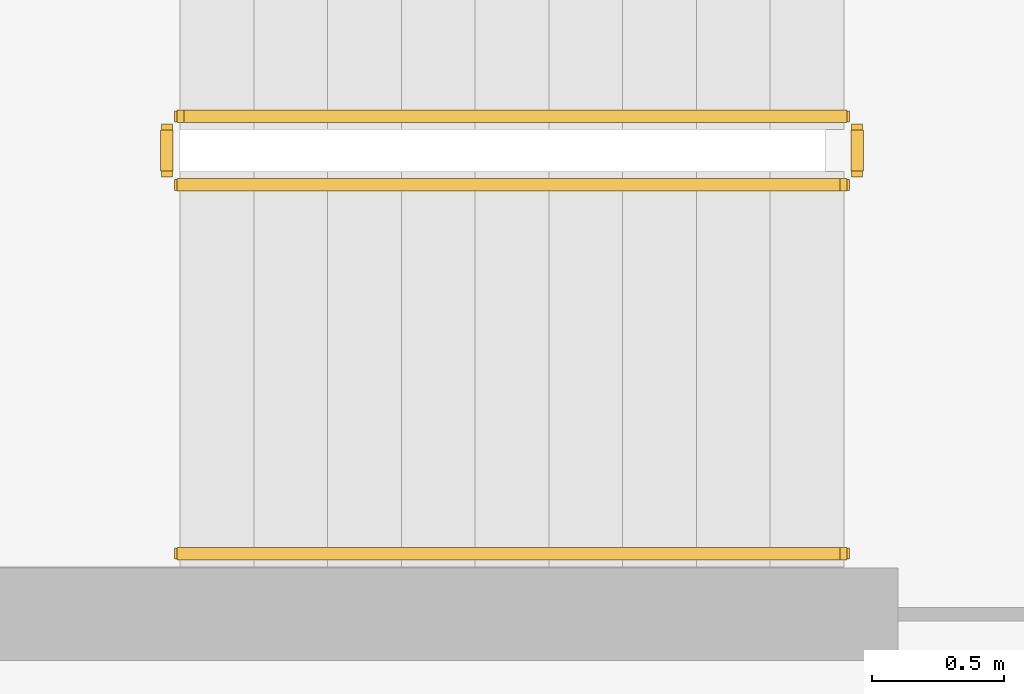
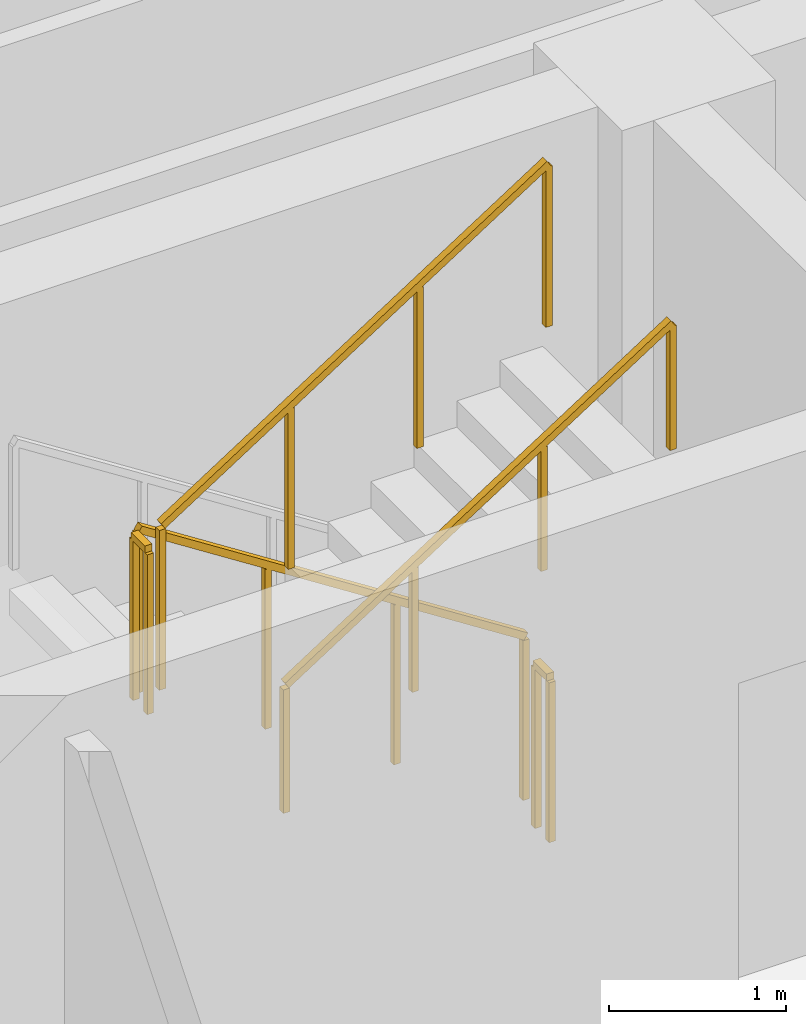
# One storey, part 11 of 13: 5 railings.
"""IFC4 building model written with IfcOpenShell, lengths in metres."""

import ifcopenshell
import ifcopenshell.guid

model = None  # the IFC model being written
_history = None  # IfcOwnerHistory: only IFC2X3 demands one
_inside = {}  # id of a spatial element -> (the spatial element, [elements in it])
_under = {}  # id of a project, library or spatial element -> (it, [spatial elements below it])
_declared = {}  # id of a project -> (the project, [libraries it declares])
_typed = {}  # id of a type object -> (the type object, [elements of that type])
_made_of = {}  # id of a material, layer set ... -> (it, [elements and type objects made of it])


def new_model(schema):
    """Start an empty IFC model of exactly this schema.

    Asked for "IFC4X3", IfcOpenShell would pick the latest addendum, in which some entities
    have other attributes; the version numbers below select the first issue.
    IFC2X3 requires an IfcOwnerHistory on every rooted entity: one is made here for all.
    """
    global model, _history
    if schema == "IFC4X3":
        model = ifcopenshell.file(schema_version=(4, 3, 0, 0))
    else:
        model = ifcopenshell.file(schema=schema)
    _inside.clear()
    _under.clear()
    _declared.clear()
    _typed.clear()
    _made_of.clear()
    _history = None
    if model.schema == "IFC2X3":
        org = make("IfcOrganization", Name="unknown")
        user = make(
            "IfcPersonAndOrganization",
            ThePerson=make("IfcPerson", FamilyName="unknown"),
            TheOrganization=org,
        )
        app = make(
            "IfcApplication",
            ApplicationDeveloper=org,
            Version="unknown",
            ApplicationFullName="unknown",
            ApplicationIdentifier="unknown",
        )
        _history = make(
            "IfcOwnerHistory",
            OwningUser=user,
            OwningApplication=app,
            ChangeAction="ADDED",
            CreationDate=0,
        )
    return model


def make(cls, **values):
    """One entity of the class cls with the attributes given. An attribute that is None is left unset."""
    return model.create_entity(
        cls, **{name: value for name, value in values.items() if value is not None}
    )


def rooted(cls, **values):
    """An entity with a GlobalId (a new one), such as an element, a storey or a relation."""
    return make(cls, GlobalId=ifcopenshell.guid.new(), OwnerHistory=_history, **values)


def si_unit(unit_type, name, prefix=None):
    """IfcSIUnit, for example si_unit("LENGTHUNIT", "METRE", prefix="MILLI")."""
    return make("IfcSIUnit", UnitType=unit_type, Prefix=prefix, Name=name)


def assignment(units):
    """IfcUnitAssignment: the units of a project."""
    return None if units is None else make("IfcUnitAssignment", Units=units)


def point(xyz):
    """IfcCartesianPoint."""
    return None if xyz is None else make("IfcCartesianPoint", Coordinates=xyz)


def direction(xyz):
    """IfcDirection."""
    return None if xyz is None else make("IfcDirection", DirectionRatios=xyz)


def frame(location, z_axis=None, x_axis=None):
    """IfcAxis2Placement3D, a coordinate frame: its origin and axes. An axis left out is left unset."""
    return make(
        "IfcAxis2Placement3D",
        Location=point(location),
        Axis=direction(z_axis),
        RefDirection=direction(x_axis),
    )


def frame_2d(location, x_axis=None):
    """IfcAxis2Placement2D, a coordinate frame in the plane: its origin and x axis."""
    return make(
        "IfcAxis2Placement2D", Location=point(location), RefDirection=direction(x_axis)
    )


def origin():
    """The frame at (0, 0, 0) with its axes left unset."""
    return frame((0.0, 0.0, 0.0))


def origin_2d():
    """The frame at (0, 0) in the plane with its x axis left unset."""
    return frame_2d((0.0, 0.0))


def place(relative_to, where):
    """IfcLocalPlacement: puts the frame where relative to a parent placement (None: the world)."""
    return make(
        "IfcLocalPlacement", PlacementRelTo=relative_to, RelativePlacement=where
    )


def context(
    kind, dimensions, precision=None, world=None, true_north=None, identifier=None
):
    """IfcGeometricRepresentationContext, for example the 3D "Model" context."""
    return make(
        "IfcGeometricRepresentationContext",
        ContextIdentifier=identifier,
        ContextType=kind,
        CoordinateSpaceDimension=dimensions,
        Precision=precision,
        WorldCoordinateSystem=world,
        TrueNorth=true_north,
    )


def subcontext(parent, identifier, kind, view, scale=None):
    """IfcGeometricRepresentationSubContext, for example "Body" below "Model"."""
    return make(
        "IfcGeometricRepresentationSubContext",
        ContextIdentifier=identifier,
        ContextType=kind,
        ParentContext=parent,
        TargetScale=scale,
        TargetView=view,
    )


def project(units=None, contexts=None):
    """IfcProject with its units and contexts."""
    return rooted(
        "IfcProject",
        Name="project",
        RepresentationContexts=contexts,
        UnitsInContext=assignment(units),
    )


def spatial(cls, under=None, at=None, **own):
    """A site, building, storey or space (cls), placed at a placement, below another one or the project."""
    s = rooted(cls, ObjectPlacement=at, **own)
    if under is not None:
        _under.setdefault(under.id(), (under, []))[1].append(s)
    return s


def profile(cls, at=None, kind="AREA", **sizes):
    """A parametric profile (cls). Its sizes go by their IFC names, for example OverallWidth=200.0."""
    return make(cls, ProfileType=kind, Position=at, **sizes)


def rectangle(**sizes):
    """IfcRectangleProfileDef."""
    return profile("IfcRectangleProfileDef", **sizes)


def extrude(swept, where, along, depth):
    """IfcExtrudedAreaSolid: the profile swept, set in the frame where, extruded along a direction by depth."""
    return make(
        "IfcExtrudedAreaSolid",
        SweptArea=swept,
        Position=where,
        ExtrudedDirection=direction(along),
        Depth=depth,
    )


def shape(context_of_items, identifier, shape_type, items):
    """IfcShapeRepresentation: the items that make up one representation, for example the "Body"."""
    return make(
        "IfcShapeRepresentation",
        ContextOfItems=context_of_items,
        RepresentationIdentifier=identifier,
        RepresentationType=shape_type,
        Items=items,
    )


def material(Name=None, Category=None):
    """IfcMaterial."""
    return make("IfcMaterial", Name=Name, Category=Category)


def made_of(thing, what):
    """Note that an element or type object is made of a material, layer set ...; save() writes the relation."""
    if what is not None:
        _made_of.setdefault(what.id(), (what, []))[1].append(thing)
    return thing


def type_object(cls, material=None, **own):
    """A type object (cls), such as IfcWallType, which elements share."""
    return made_of(rooted(cls, **own), material)


def element(
    cls,
    number,
    at=None,
    inside=None,
    cuts=None,
    type_object=None,
    material=None,
    context=None,
    identifier="Body",
    shape_type=None,
    held_by="IfcProductDefinitionShape",
    body=None,
    shapes=None,
    **own,
):
    """One element of the class cls, such as IfcWall. Its Tag is "e" and its number.

    at: its placement. inside: the storey or other place that contains it. cuts: it is an
    opening in that element (IfcRelVoidsElement). A single representation is given by context,
    identifier, shape_type and body (its items); several are given by shapes. held_by: the class
    of the entity that holds the representations. save() writes the other relations.
    """
    e = rooted(cls, Tag="e%d" % number, ObjectPlacement=at, **own)
    if body is not None:
        shapes = [shape(context, identifier, shape_type, body)]
    if shapes is not None:
        e.Representation = make(held_by, Representations=shapes)
    if inside is not None:
        _inside.setdefault(inside.id(), (inside, []))[1].append(e)
    if cuts is not None:
        rooted(
            "IfcRelVoidsElement", RelatingBuildingElement=cuts, RelatedOpeningElement=e
        )
    if type_object is not None:
        _typed.setdefault(type_object.id(), (type_object, []))[1].append(e)
    return made_of(e, material)


def aggregate(whole, parts):
    """IfcRelAggregates: a whole, such as a stair, and the parts it consists of."""
    return rooted("IfcRelAggregates", RelatingObject=whole, RelatedObjects=parts)


def save(model, path):
    """Write the relations noted so far, then the file.

    IfcRelAggregates (storeys below a building ...), IfcRelContainedInSpatialStructure (elements
    in a storey), IfcRelDefinesByType, IfcRelAssociatesMaterial and IfcRelDeclares: one each for
    every whole, place, type object, material and project.
    """
    for whole, parts in _under.values():
        aggregate(whole, parts)
    for where, things in _inside.values():
        rooted(
            "IfcRelContainedInSpatialStructure",
            RelatedElements=things,
            RelatingStructure=where,
        )
    for kind, things in _typed.values():
        rooted("IfcRelDefinesByType", RelatedObjects=things, RelatingType=kind)
    for what, things in _made_of.values():
        rooted("IfcRelAssociatesMaterial", RelatedObjects=things, RelatingMaterial=what)
    for by, libraries in _declared.values():
        rooted("IfcRelDeclares", RelatingContext=by, RelatedDefinitions=libraries)
    model.write(path)


model = new_model("IFC4")

# Units and contexts
model_context = context("Model", 3, precision=1e-05, world=origin(), true_north=direction((0.0, 1.0)))
body_context = subcontext(model_context, "Body", "Model", "MODEL_VIEW")
ifc_project = project(units=[si_unit("LENGTHUNIT", "METRE"), si_unit("AREAUNIT", "SQUARE_METRE"), si_unit("VOLUMEUNIT", "CUBIC_METRE"), si_unit("PLANEANGLEUNIT", "RADIAN"), si_unit("MASSUNIT", "GRAM", prefix="KILO")], contexts=[model_context])

# Site, building, storey
site_placement = place(None, origin())
site = spatial("IfcSite", under=ifc_project, at=site_placement, CompositionType="ELEMENT")
building_placement = place(site_placement, origin())
building = spatial("IfcBuilding", under=site, at=building_placement, Name="Zarnavel Station Tower", CompositionType="ELEMENT")
storey_placement = place(building_placement, frame((0.0, 0.0, 207.60009765625)))
storey = spatial("IfcBuildingStorey", under=building, at=storey_placement, Name="L56", CompositionType="ELEMENT", Elevation=207.60009765625)

# Railings
ifc_material_1 = material(Name="Painted Steel S355J2 Balustrade", Category="steel")
railing_type_1 = type_object("IfcRailingType", Name="GR_INT_1150", PredefinedType="GUARDRAIL", material=ifc_material_1)
railing_1_placement = place(storey_placement, frame((19.47998046875, 35.3701171875, 0.179931640625)))
element("IfcRailing", 1, at=railing_1_placement, inside=storey, type_object=railing_type_1, Name="L56 ST1 stair guard 1", PredefinedType="GUARDRAIL", context=body_context, shape_type="SweptSolid", body=[
    extrude(rectangle(XDim=0.048095703125, YDim=0.048095703125, at=origin_2d()), frame((-0.001708984375, 0.0, 1.126953125), z_axis=(-0.841199657755, 0.0, 0.540724639528), x_axis=(0.0, -1.0, 0.0)), (0.0, 0.0, 1.0), 2.99169921875),
    extrude(rectangle(XDim=0.0419921875, YDim=0.0419921875, at=origin_2d()), origin(), (0.0, 0.0, 1.0), 1.101806640625),
    extrude(rectangle(XDim=0.0419921875, YDim=0.0419921875, at=origin_2d()), frame((-0.840087890625, 0.0, 0.5400390625)), (0.0, 0.0, 1.0), 1.101806640625),
    extrude(rectangle(XDim=0.0419921875, YDim=0.0419921875, at=origin_2d()), frame((-1.679931640625, 0.0, 1.079833984375)), (0.0, 0.0, 1.0), 1.101806640625),
    extrude(rectangle(XDim=0.0419921875, YDim=0.0419921875, at=origin_2d()), frame((-2.52001953125, 0.0, 1.619873046875)), (0.0, 0.0, 1.0), 1.101806640625),
])
railing_2_placement = place(storey_placement, frame((16.909912109375, 35.320068359375, 1.7998046875)))
element("IfcRailing", 2, at=railing_2_placement, inside=storey, type_object=railing_type_1, Name="L56 ST1 stair guard 2", PredefinedType="GUARDRAIL", context=body_context, shape_type="SweptSolid", body=[
    extrude(rectangle(XDim=0.048095703125, YDim=0.048095703125, at=origin_2d()), frame((0.0, -0.001953125, 1.1259765625), z_axis=(0.0, -1.0, 0.0), x_axis=(1.0, 0.0, 0.0)), (0.0, 0.0, 1.0), 0.15625),
    extrude(rectangle(XDim=0.0419921875, YDim=0.0419921875, at=origin_2d()), origin(), (0.0, 0.0, 1.0), 1.101806640625),
    extrude(rectangle(XDim=0.0419921875, YDim=0.0419921875, at=origin_2d()), frame((0.0, -0.16015625, 0.0)), (0.0, 0.0, 1.0), 1.101806640625),
])
railing_3_placement = place(storey_placement, frame((16.9599609375, 35.110107421875, 1.97998046875)))
element("IfcRailing", 3, at=railing_3_placement, inside=storey, type_object=railing_type_1, Name="L56 ST1 stair guard 3", PredefinedType="GUARDRAIL", context=body_context, shape_type="SweptSolid", body=[
    extrude(rectangle(XDim=0.048095703125, YDim=0.048095703125, at=origin_2d()), frame((0.001708984375, 0.0, 1.126953125), z_axis=(0.841199657755, 0.0, 0.540724639528), x_axis=(0.0, 1.0, 0.0)), (0.0, 0.0, 1.0), 2.99169921875),
    extrude(rectangle(XDim=0.0419921875, YDim=0.0419921875, at=origin_2d()), origin(), (0.0, 0.0, 1.0), 1.101806640625),
    extrude(rectangle(XDim=0.0419921875, YDim=0.0419921875, at=origin_2d()), frame((0.840087890625, 0.0, 0.5400390625)), (0.0, 0.0, 1.0), 1.101806640625),
    extrude(rectangle(XDim=0.0419921875, YDim=0.0419921875, at=origin_2d()), frame((1.679931640625, 0.0, 1.079833984375)), (0.0, 0.0, 1.0), 1.101806640625),
    extrude(rectangle(XDim=0.0419921875, YDim=0.0419921875, at=origin_2d()), frame((2.52001953125, 0.0, 1.619873046875)), (0.0, 0.0, 1.0), 1.101806640625),
])
railing_4_placement = place(storey_placement, frame((19.530029296875, 35.320068359375, 0.0)))
element("IfcRailing", 4, at=railing_4_placement, inside=storey, type_object=railing_type_1, Name="L56 ST1 stair guard 4", PredefinedType="GUARDRAIL", context=body_context, shape_type="SweptSolid", body=[
    extrude(rectangle(XDim=0.048095703125, YDim=0.048095703125, at=origin_2d()), frame((0.0, -0.001953125, 1.1259765625), z_axis=(0.0, -1.0, 0.0), x_axis=(1.0, 0.0, 0.0)), (0.0, 0.0, 1.0), 0.15625),
    extrude(rectangle(XDim=0.0419921875, YDim=0.0419921875, at=origin_2d()), origin(), (0.0, 0.0, 1.0), 1.101806640625),
    extrude(rectangle(XDim=0.0419921875, YDim=0.0419921875, at=origin_2d()), frame((0.0, -0.16015625, 0.0)), (0.0, 0.0, 1.0), 1.101806640625),
])
ifc_material_2 = material(Name="Brushed Stainless Steel S355J2 Handrail", Category="steel")
railing_type_2 = type_object("IfcRailingType", Name="HR_STAIR_900", PredefinedType="HANDRAIL", material=ifc_material_2)
railing_5_placement = place(storey_placement, frame((16.9599609375, 33.7099609375, 1.97998046875)))
element("IfcRailing", 5, at=railing_5_placement, inside=storey, type_object=railing_type_2, Name="L56 ST1 stair handrail 2", PredefinedType="HANDRAIL", context=body_context, shape_type="SweptSolid", body=[
    extrude(rectangle(XDim=0.048095703125, YDim=0.048095703125, at=origin_2d()), frame((0.001708984375, 0.0, 0.876953125), z_axis=(0.841199657755, 0.0, 0.540724639528), x_axis=(0.0, 1.0, 0.0)), (0.0, 0.0, 1.0), 2.99169921875),
    extrude(rectangle(XDim=0.0419921875, YDim=0.0419921875, at=origin_2d()), origin(), (0.0, 0.0, 1.0), 0.851806640625),
    extrude(rectangle(XDim=0.0419921875, YDim=0.0419921875, at=origin_2d()), frame((0.840087890625, 0.0, 0.5400390625)), (0.0, 0.0, 1.0), 0.851806640625),
    extrude(rectangle(XDim=0.0419921875, YDim=0.0419921875, at=origin_2d()), frame((1.679931640625, 0.0, 1.079833984375)), (0.0, 0.0, 1.0), 0.851806640625),
    extrude(rectangle(XDim=0.0419921875, YDim=0.0419921875, at=origin_2d()), frame((2.52001953125, 0.0, 1.619873046875)), (0.0, 0.0, 1.0), 0.851806640625),
])

save(model, "model.ifc")
